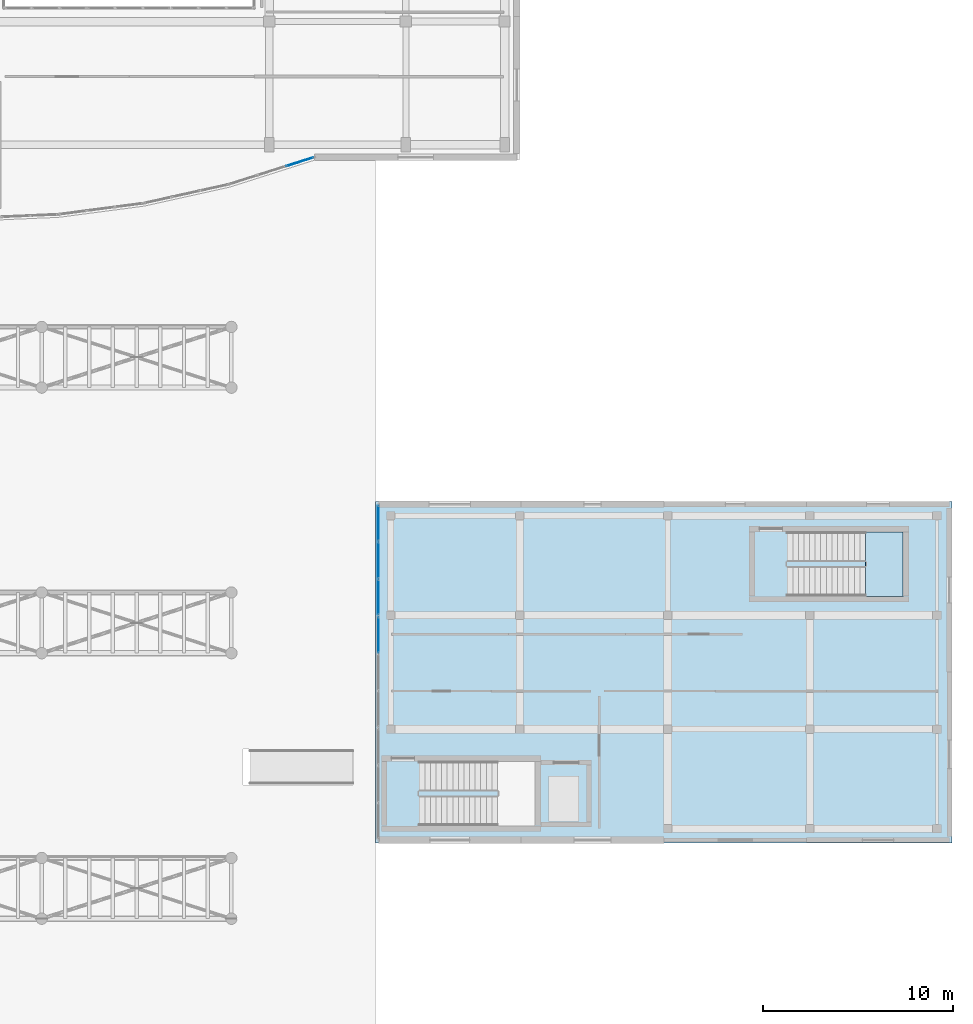
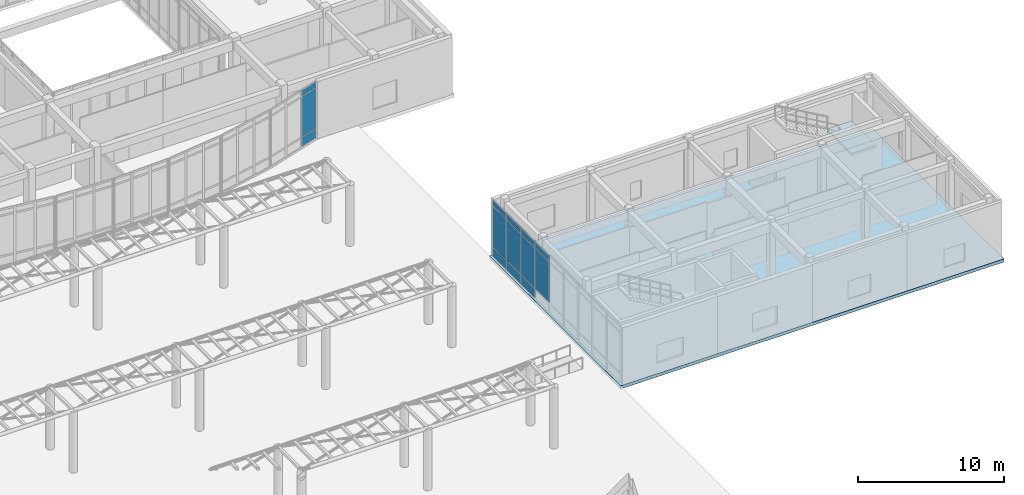
# One storey, part 88 of 121: 14 plates, 2 slabs, 4 elements without a shape of their own.
"""IFC4 building model written with IfcOpenShell, lengths in metres."""

import ifcopenshell
import ifcopenshell.guid

model = None  # the IFC model being written
_history = None  # IfcOwnerHistory: only IFC2X3 demands one
_inside = {}  # id of a spatial element -> (the spatial element, [elements in it])
_under = {}  # id of a project, library or spatial element -> (it, [spatial elements below it])
_declared = {}  # id of a project -> (the project, [libraries it declares])
_typed = {}  # id of a type object -> (the type object, [elements of that type])
_made_of = {}  # id of a material, layer set ... -> (it, [elements and type objects made of it])


def new_model(schema):
    """Start an empty IFC model of exactly this schema.

    Asked for "IFC4X3", IfcOpenShell would pick the latest addendum, in which some entities
    have other attributes; the version numbers below select the first issue.
    IFC2X3 requires an IfcOwnerHistory on every rooted entity: one is made here for all.
    """
    global model, _history
    if schema == "IFC4X3":
        model = ifcopenshell.file(schema_version=(4, 3, 0, 0))
    else:
        model = ifcopenshell.file(schema=schema)
    _inside.clear()
    _under.clear()
    _declared.clear()
    _typed.clear()
    _made_of.clear()
    _history = None
    if model.schema == "IFC2X3":
        org = make("IfcOrganization", Name="unknown")
        user = make(
            "IfcPersonAndOrganization",
            ThePerson=make("IfcPerson", FamilyName="unknown"),
            TheOrganization=org,
        )
        app = make(
            "IfcApplication",
            ApplicationDeveloper=org,
            Version="unknown",
            ApplicationFullName="unknown",
            ApplicationIdentifier="unknown",
        )
        _history = make(
            "IfcOwnerHistory",
            OwningUser=user,
            OwningApplication=app,
            ChangeAction="ADDED",
            CreationDate=0,
        )
    return model


def make(cls, **values):
    """One entity of the class cls with the attributes given. An attribute that is None is left unset."""
    return model.create_entity(
        cls, **{name: value for name, value in values.items() if value is not None}
    )


def rooted(cls, **values):
    """An entity with a GlobalId (a new one), such as an element, a storey or a relation."""
    return make(cls, GlobalId=ifcopenshell.guid.new(), OwnerHistory=_history, **values)


def si_unit(unit_type, name, prefix=None):
    """IfcSIUnit, for example si_unit("LENGTHUNIT", "METRE", prefix="MILLI")."""
    return make("IfcSIUnit", UnitType=unit_type, Prefix=prefix, Name=name)


def assignment(units):
    """IfcUnitAssignment: the units of a project."""
    return None if units is None else make("IfcUnitAssignment", Units=units)


def point(xyz):
    """IfcCartesianPoint."""
    return None if xyz is None else make("IfcCartesianPoint", Coordinates=xyz)


def direction(xyz):
    """IfcDirection."""
    return None if xyz is None else make("IfcDirection", DirectionRatios=xyz)


def frame(location, z_axis=None, x_axis=None):
    """IfcAxis2Placement3D, a coordinate frame: its origin and axes. An axis left out is left unset."""
    return make(
        "IfcAxis2Placement3D",
        Location=point(location),
        Axis=direction(z_axis),
        RefDirection=direction(x_axis),
    )


def frame_2d(location, x_axis=None):
    """IfcAxis2Placement2D, a coordinate frame in the plane: its origin and x axis."""
    return make(
        "IfcAxis2Placement2D", Location=point(location), RefDirection=direction(x_axis)
    )


def origin():
    """The frame at (0, 0, 0) with its axes left unset."""
    return frame((0.0, 0.0, 0.0))


def origin_2d():
    """The frame at (0, 0) in the plane with its x axis left unset."""
    return frame_2d((0.0, 0.0))


def place(relative_to, where):
    """IfcLocalPlacement: puts the frame where relative to a parent placement (None: the world)."""
    return make(
        "IfcLocalPlacement", PlacementRelTo=relative_to, RelativePlacement=where
    )


def context(
    kind, dimensions, precision=None, world=None, true_north=None, identifier=None
):
    """IfcGeometricRepresentationContext, for example the 3D "Model" context."""
    return make(
        "IfcGeometricRepresentationContext",
        ContextIdentifier=identifier,
        ContextType=kind,
        CoordinateSpaceDimension=dimensions,
        Precision=precision,
        WorldCoordinateSystem=world,
        TrueNorth=true_north,
    )


def subcontext(parent, identifier, kind, view, scale=None):
    """IfcGeometricRepresentationSubContext, for example "Body" below "Model"."""
    return make(
        "IfcGeometricRepresentationSubContext",
        ContextIdentifier=identifier,
        ContextType=kind,
        ParentContext=parent,
        TargetScale=scale,
        TargetView=view,
    )


def project(units=None, contexts=None):
    """IfcProject with its units and contexts."""
    return rooted(
        "IfcProject",
        Name="project",
        RepresentationContexts=contexts,
        UnitsInContext=assignment(units),
    )


def spatial(cls, under=None, at=None, **own):
    """A site, building, storey or space (cls), placed at a placement, below another one or the project."""
    s = rooted(cls, ObjectPlacement=at, **own)
    if under is not None:
        _under.setdefault(under.id(), (under, []))[1].append(s)
    return s


def polyline(points):
    """IfcPolyline through the points."""
    return make("IfcPolyline", Points=[point(p) for p in points])


def profile(cls, at=None, kind="AREA", **sizes):
    """A parametric profile (cls). Its sizes go by their IFC names, for example OverallWidth=200.0."""
    return make(cls, ProfileType=kind, Position=at, **sizes)


def rectangle(**sizes):
    """IfcRectangleProfileDef."""
    return profile("IfcRectangleProfileDef", **sizes)


def outline(outer, holes=None, kind="AREA"):
    """IfcArbitraryClosedProfileDef: a profile drawn as a closed curve; with holes, ...WithVoids."""
    if holes is None:
        return make("IfcArbitraryClosedProfileDef", ProfileType=kind, OuterCurve=outer)
    return make(
        "IfcArbitraryProfileDefWithVoids",
        ProfileType=kind,
        OuterCurve=outer,
        InnerCurves=holes,
    )


def extrude(swept, where, along, depth):
    """IfcExtrudedAreaSolid: the profile swept, set in the frame where, extruded along a direction by depth."""
    return make(
        "IfcExtrudedAreaSolid",
        SweptArea=swept,
        Position=where,
        ExtrudedDirection=direction(along),
        Depth=depth,
    )


def shape(context_of_items, identifier, shape_type, items):
    """IfcShapeRepresentation: the items that make up one representation, for example the "Body"."""
    return make(
        "IfcShapeRepresentation",
        ContextOfItems=context_of_items,
        RepresentationIdentifier=identifier,
        RepresentationType=shape_type,
        Items=items,
    )


def material(Name=None, Category=None):
    """IfcMaterial."""
    return make("IfcMaterial", Name=Name, Category=Category)


def layer(
    of_material, thickness, ventilated=None, Name=None, Category=None, Priority=None
):
    """IfcMaterialLayer: one layer of a wall or slab, of a material (None: an air gap)."""
    return make(
        "IfcMaterialLayer",
        Material=of_material,
        LayerThickness=thickness,
        IsVentilated=ventilated,
        Name=Name,
        Category=Category,
        Priority=Priority,
    )


def layer_set(layers, Name=None):
    """IfcMaterialLayerSet."""
    return make("IfcMaterialLayerSet", MaterialLayers=layers, LayerSetName=Name)


def made_of(thing, what):
    """Note that an element or type object is made of a material, layer set ...; save() writes the relation."""
    if what is not None:
        _made_of.setdefault(what.id(), (what, []))[1].append(thing)
    return thing


def type_object(cls, material=None, **own):
    """A type object (cls), such as IfcWallType, which elements share."""
    return made_of(rooted(cls, **own), material)


def element(
    cls,
    number,
    at=None,
    inside=None,
    cuts=None,
    type_object=None,
    material=None,
    context=None,
    identifier="Body",
    shape_type=None,
    held_by="IfcProductDefinitionShape",
    body=None,
    shapes=None,
    **own,
):
    """One element of the class cls, such as IfcWall. Its Tag is "e" and its number.

    at: its placement. inside: the storey or other place that contains it. cuts: it is an
    opening in that element (IfcRelVoidsElement). A single representation is given by context,
    identifier, shape_type and body (its items); several are given by shapes. held_by: the class
    of the entity that holds the representations. save() writes the other relations.
    """
    e = rooted(cls, Tag="e%d" % number, ObjectPlacement=at, **own)
    if body is not None:
        shapes = [shape(context, identifier, shape_type, body)]
    if shapes is not None:
        e.Representation = make(held_by, Representations=shapes)
    if inside is not None:
        _inside.setdefault(inside.id(), (inside, []))[1].append(e)
    if cuts is not None:
        rooted(
            "IfcRelVoidsElement", RelatingBuildingElement=cuts, RelatedOpeningElement=e
        )
    if type_object is not None:
        _typed.setdefault(type_object.id(), (type_object, []))[1].append(e)
    return made_of(e, material)


def aggregate(whole, parts):
    """IfcRelAggregates: a whole, such as a stair, and the parts it consists of."""
    return rooted("IfcRelAggregates", RelatingObject=whole, RelatedObjects=parts)


def save(model, path):
    """Write the relations noted so far, then the file.

    IfcRelAggregates (storeys below a building ...), IfcRelContainedInSpatialStructure (elements
    in a storey), IfcRelDefinesByType, IfcRelAssociatesMaterial and IfcRelDeclares: one each for
    every whole, place, type object, material and project.
    """
    for whole, parts in _under.values():
        aggregate(whole, parts)
    for where, things in _inside.values():
        rooted(
            "IfcRelContainedInSpatialStructure",
            RelatedElements=things,
            RelatingStructure=where,
        )
    for kind, things in _typed.values():
        rooted("IfcRelDefinesByType", RelatedObjects=things, RelatingType=kind)
    for what, things in _made_of.values():
        rooted("IfcRelAssociatesMaterial", RelatedObjects=things, RelatingMaterial=what)
    for by, libraries in _declared.values():
        rooted("IfcRelDeclares", RelatingContext=by, RelatedDefinitions=libraries)
    model.write(path)


model = new_model("IFC4")

# Units and contexts
model_context = context("Model", 3, precision=1e-05, world=origin(), true_north=direction((0.0, 1.0)))
body_context = subcontext(model_context, "Body", "Model", "MODEL_VIEW")
ifc_project = project(units=[si_unit("LENGTHUNIT", "METRE"), si_unit("AREAUNIT", "SQUARE_METRE"), si_unit("VOLUMEUNIT", "CUBIC_METRE"), si_unit("PLANEANGLEUNIT", "RADIAN"), si_unit("MASSUNIT", "GRAM", prefix="KILO")], contexts=[model_context])

# Site, building, storey
site_placement = place(None, origin())
site = spatial("IfcSite", under=ifc_project, at=site_placement, CompositionType="ELEMENT")
building_placement = place(site_placement, origin())
building = spatial("IfcBuilding", under=site, at=building_placement, Name="Valcora Specialist Clinic", CompositionType="ELEMENT")
storey_placement = place(building_placement, origin())
storey = spatial("IfcBuildingStorey", under=building, at=storey_placement, Name="L00", CompositionType="ELEMENT", Elevation=0.0)

# Curtain wall, plates
ifc_material_1 = material(Name="Anodized Bronze Aluminium 6063-T6", Category="aluminium")
ifc_layer_1 = layer(ifc_material_1, 0.175048828125)
ifc_layer_set_1 = layer_set([ifc_layer_1], Name="Anodized Bronze Aluminium 6063-T6")
curtain_wall_type_1 = type_object("IfcCurtainWallType", Name="TY-CW-HAL18", PredefinedType="NOTDEFINED", material=ifc_layer_set_1)
curtain_wall_1_placement = place(storey_placement, origin())
curtain_wall_1 = element("IfcCurtainWall", 1, at=curtain_wall_1_placement, inside=storey, type_object=curtain_wall_type_1, Name="Curtain wall CW-L00-016", PredefinedType="NOTDEFINED")
ifc_material_2 = material(Name="Low-E Laminated Insulating Glass", Category="glass")
ifc_layer_2 = layer(ifc_material_2, 0.028076171875)
ifc_layer_set_2 = layer_set([ifc_layer_2], Name="Low-E Laminated Insulating Glass")
plate_type_1 = type_object("IfcPlateType", Name="TY-CWP-GLZ28", PredefinedType="CURTAIN_PANEL", material=ifc_layer_set_2)
plate_1_placement = place(storey_placement, frame((131.75, 48.950439453125, 0.88232421875), z_axis=(0.0, 0.0, 1.0), x_axis=(0.0, 1.0, 0.0)))
plate_1 = element("IfcPlate", 2, at=plate_1_placement, type_object=plate_type_1, Name="CW-HAL-18 panel 3.2", PredefinedType="CURTAIN_PANEL", context=body_context, shape_type="SweptSolid", body=[
    extrude(rectangle(XDim=1.869140625, YDim=0.028076171875, at=origin_2d()), origin(), (0.0, 0.0, 1.0), 3.360107421875),
])
plate_2_placement = place(storey_placement, frame((131.75, 48.950439453125, 4.3076171875), z_axis=(0.0, 0.0, 1.0), x_axis=(0.0, 1.0, 0.0)))
plate_2 = element("IfcPlate", 3, at=plate_2_placement, type_object=plate_type_1, Name="CW-HAL-18 panel 3.3", PredefinedType="CURTAIN_PANEL", context=body_context, shape_type="SweptSolid", body=[
    extrude(rectangle(XDim=1.869140625, YDim=0.028076171875, at=origin_2d()), origin(), (0.0, 0.0, 1.0), 0.452392578125),
])
aggregate(curtain_wall_1, [plate_1, plate_2])

curtain_wall_2_placement = place(storey_placement, origin())
curtain_wall_2 = element("IfcCurtainWall", 4, at=curtain_wall_2_placement, inside=storey, type_object=curtain_wall_type_1, Name="Curtain wall CW-L00-017", PredefinedType="NOTDEFINED")
ifc_layer_3 = layer(ifc_material_2, 0.033935546875)
ifc_layer_set_3 = layer_set([ifc_layer_3], Name="Low-E Laminated Insulating Glass")
plate_type_2 = type_object("IfcPlateType", Name="TY-CWP-GLZ34", PredefinedType="CURTAIN_PANEL", material=ifc_layer_set_3)
plate_3_placement = place(storey_placement, frame((131.75, 50.949462890625, 0.88232421875), z_axis=(0.0, 0.0, 1.0), x_axis=(0.0, 1.0, 0.0)))
plate_3 = element("IfcPlate", 5, at=plate_3_placement, type_object=plate_type_2, Name="CW-HAL-18 panel 1.2", PredefinedType="CURTAIN_PANEL", context=body_context, shape_type="SweptSolid", body=[
    extrude(rectangle(XDim=1.869140625, YDim=0.033935546875, at=origin_2d()), origin(), (0.0, 0.0, 1.0), 3.360107421875),
])
plate_4_placement = place(storey_placement, frame((131.75, 50.949462890625, 4.3076171875), z_axis=(0.0, 0.0, 1.0), x_axis=(0.0, 1.0, 0.0)))
plate_4 = element("IfcPlate", 6, at=plate_4_placement, type_object=plate_type_2, Name="CW-HAL-18 panel 1.3", PredefinedType="CURTAIN_PANEL", context=body_context, shape_type="SweptSolid", body=[
    extrude(rectangle(XDim=1.869140625, YDim=0.033935546875, at=origin_2d()), origin(), (0.0, 0.0, 1.0), 0.452392578125),
])
plate_5_placement = place(storey_placement, frame((131.75, 52.89990234375, 0.88232421875), z_axis=(0.0, 0.0, 1.0), x_axis=(0.0, 1.0, 0.0)))
plate_5 = element("IfcPlate", 7, at=plate_5_placement, type_object=plate_type_2, Name="CW-HAL-18 panel 2.2", PredefinedType="CURTAIN_PANEL", context=body_context, shape_type="SweptSolid", body=[
    extrude(rectangle(XDim=1.901611328125, YDim=0.033935546875, at=origin_2d()), origin(), (0.0, 0.0, 1.0), 3.360107421875),
])
plate_6_placement = place(storey_placement, frame((131.75, 52.89990234375, 4.3076171875), z_axis=(0.0, 0.0, 1.0), x_axis=(0.0, 1.0, 0.0)))
plate_6 = element("IfcPlate", 8, at=plate_6_placement, type_object=plate_type_2, Name="CW-HAL-18 panel 2.3", PredefinedType="CURTAIN_PANEL", context=body_context, shape_type="SweptSolid", body=[
    extrude(rectangle(XDim=1.901611328125, YDim=0.033935546875, at=origin_2d()), origin(), (0.0, 0.0, 1.0), 0.452392578125),
])
plate_7_placement = place(storey_placement, frame((131.75, 54.850341796875, 0.88232421875), z_axis=(0.0, 0.0, 1.0), x_axis=(0.0, 1.0, 0.0)))
plate_7 = element("IfcPlate", 9, at=plate_7_placement, type_object=plate_type_2, Name="CW-HAL-18 panel 3.2", PredefinedType="CURTAIN_PANEL", context=body_context, shape_type="SweptSolid", body=[
    extrude(rectangle(XDim=1.869140625, YDim=0.033935546875, at=origin_2d()), origin(), (0.0, 0.0, 1.0), 3.360107421875),
])
plate_8_placement = place(storey_placement, frame((131.75, 54.850341796875, 4.3076171875), z_axis=(0.0, 0.0, 1.0), x_axis=(0.0, 1.0, 0.0)))
plate_8 = element("IfcPlate", 10, at=plate_8_placement, type_object=plate_type_2, Name="CW-HAL-18 panel 3.3", PredefinedType="CURTAIN_PANEL", context=body_context, shape_type="SweptSolid", body=[
    extrude(rectangle(XDim=1.869140625, YDim=0.033935546875, at=origin_2d()), origin(), (0.0, 0.0, 1.0), 0.452392578125),
])

ifc_layer_4 = layer(ifc_material_1, 0.175048828125)
ifc_layer_set_4 = layer_set([ifc_layer_4], Name="Anodized Bronze Aluminium 6063-T6")
curtain_wall_type_2 = type_object("IfcCurtainWallType", Name="TY-CW-ARC51", PredefinedType="NOTDEFINED", material=ifc_layer_set_4)
curtain_wall_3_placement = place(storey_placement, origin())
curtain_wall_3 = element("IfcCurtainWall", 11, at=curtain_wall_3_placement, inside=storey, type_object=curtain_wall_type_2, Name="Curtain wall CW-L00-021", PredefinedType="NOTDEFINED")
plate_9_placement = place(storey_placement, frame((127.608642578125, 73.905517578125, 0.88232421875), z_axis=(0.0, 0.0, 1.0), x_axis=(-0.952916356972, -0.303233270958, 0.0)))
plate_9 = element("IfcPlate", 12, at=plate_9_placement, type_object=plate_type_2, Name="CW-ARC-51 panel 1.2", PredefinedType="CURTAIN_PANEL", context=body_context, shape_type="SweptSolid", body=[
    extrude(rectangle(XDim=1.482177734375, YDim=0.033935546875, at=origin_2d()), origin(), (0.0, 0.0, 1.0), 3.344970703125),
])
plate_10_placement = place(storey_placement, frame((127.608642578125, 73.905517578125, 4.29248046875), z_axis=(0.0, 0.0, 1.0), x_axis=(-0.952916356972, -0.303233270958, 0.0)))
plate_10 = element("IfcPlate", 13, at=plate_10_placement, type_object=plate_type_2, Name="CW-ARC-51 panel 1.3", PredefinedType="CURTAIN_PANEL", context=body_context, shape_type="SweptSolid", body=[
    extrude(rectangle(XDim=1.482177734375, YDim=0.033935546875, at=origin_2d()), origin(), (0.0, 0.0, 1.0), 0.452392578125),
])

# Plate
ifc_material_3 = material(Name="Insulated Spandrel Panel")
ifc_layer_5 = layer(ifc_material_3, 0.044921875)
ifc_layer_set_5 = layer_set([ifc_layer_5], Name="Insulated Spandrel Panel")
plate_type_3 = type_object("IfcPlateType", Name="TY-CWP-SPN45", PredefinedType="SHEET", material=ifc_layer_set_5)
plate_11_placement = place(storey_placement, frame((131.75, 50.949462890625, 0.06494140625), z_axis=(0.0, 0.0, 1.0), x_axis=(0.0, 1.0, 0.0)))
plate_11 = element("IfcPlate", 14, at=plate_11_placement, type_object=plate_type_3, Name="CW-HAL-18 panel 1.1", PredefinedType="SHEET", context=body_context, shape_type="SweptSolid", body=[
    extrude(rectangle(XDim=1.869140625, YDim=0.044921875, at=origin_2d()), origin(), (0.0, 0.0, 1.0), 0.75244140625),
])

plate_12_placement = place(storey_placement, frame((131.75, 52.89990234375, 0.06494140625), z_axis=(0.0, 0.0, 1.0), x_axis=(0.0, 1.0, 0.0)))
plate_12 = element("IfcPlate", 15, at=plate_12_placement, type_object=plate_type_3, Name="CW-HAL-18 panel 2.1", PredefinedType="SHEET", context=body_context, shape_type="SweptSolid", body=[
    extrude(rectangle(XDim=1.901611328125, YDim=0.044921875, at=origin_2d()), origin(), (0.0, 0.0, 1.0), 0.75244140625),
])

plate_13_placement = place(storey_placement, frame((131.75, 54.850341796875, 0.06494140625), z_axis=(0.0, 0.0, 1.0), x_axis=(0.0, 1.0, 0.0)))
plate_13 = element("IfcPlate", 16, at=plate_13_placement, type_object=plate_type_3, Name="CW-HAL-18 panel 3.1", PredefinedType="SHEET", context=body_context, shape_type="SweptSolid", body=[
    extrude(rectangle(XDim=1.869140625, YDim=0.044921875, at=origin_2d()), origin(), (0.0, 0.0, 1.0), 0.75244140625),
])

aggregate(curtain_wall_2, [plate_11, plate_3, plate_4, plate_12, plate_5, plate_6, plate_13, plate_7, plate_8])

plate_14_placement = place(storey_placement, frame((127.608642578125, 73.905517578125, 0.06494140625), z_axis=(0.0, 0.0, 1.0), x_axis=(-0.952916356972, -0.303233270958, 0.0)))
plate_14 = element("IfcPlate", 17, at=plate_14_placement, type_object=plate_type_3, Name="CW-ARC-51 panel 1.1", PredefinedType="SHEET", context=body_context, shape_type="SweptSolid", body=[
    extrude(rectangle(XDim=1.482177734375, YDim=0.044921875, at=origin_2d()), origin(), (0.0, 0.0, 1.0), 0.75244140625),
])

aggregate(curtain_wall_3, [plate_14, plate_9, plate_10])

# Slab
ifc_material_4 = material(Name="Concrete C40/50", Category="concrete")
ifc_layer_6 = layer(ifc_material_4, 0.260009765625)
ifc_layer_set_6 = layer_set([ifc_layer_6], Name="Concrete C40/50")
slab_type_1 = type_object("IfcSlabType", Name="TY-SL-FLR260", PredefinedType="FLOOR", material=ifc_layer_set_6)
slab_1_placement = place(storey_placement, frame((0.0, 0.0, -0.260009765625)))
element("IfcSlab", 18, at=slab_1_placement, inside=storey, type_object=slab_type_1, Name="V3 L00 structural slab SL-L00-007", PredefinedType="FLOOR", context=body_context, shape_type="SweptSolid", body=[
    extrude(outline(polyline([(131.60009765625, 38.0), (162.0, 38.0), (162.0, 56.0), (131.60009765625, 56.0), (131.60009765625, 38.0)])), origin(), (0.0, 0.0, 1.0), 0.260009765625),
])

# Stair, slab
stair_type = type_object("IfcStairType", Name="TY-ST-DG510", PredefinedType="HALF_TURN_STAIR", material=ifc_material_4)
stair_placement = place(storey_placement, origin())
stair = element("IfcStair", 19, at=stair_placement, inside=storey, type_object=stair_type, Name="L00 Core C-V3B stair ST-V3B", PredefinedType="HALF_TURN_STAIR")
ifc_layer_7 = layer(ifc_material_4, 0.199951171875)
ifc_layer_set_7 = layer_set([ifc_layer_7], Name="Concrete C40/50")
slab_type_2 = type_object("IfcSlabType", Name="TY-SL-LND200", PredefinedType="LANDING", material=ifc_layer_set_7)
slab_2_placement = place(storey_placement, frame((0.0, 0.0, 2.35009765625)))
slab_2 = element("IfcSlab", 20, at=slab_2_placement, type_object=slab_type_2, Name="ST-V3B landing 1", PredefinedType="LANDING", context=body_context, shape_type="SweptSolid", body=[
    extrude(outline(polyline([(157.429931640625, 51.0), (159.39990234375, 51.0), (159.39990234375, 54.39990234375), (157.429931640625, 54.39990234375), (157.429931640625, 51.0)])), origin(), (0.0, 0.0, 1.0), 0.199951171875),
])
aggregate(stair, [slab_2])

save(model, "model.ifc")
